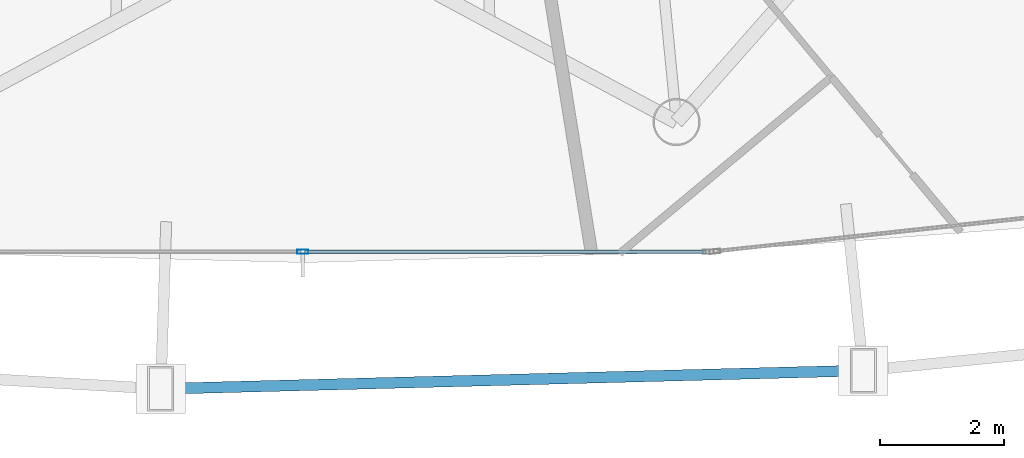
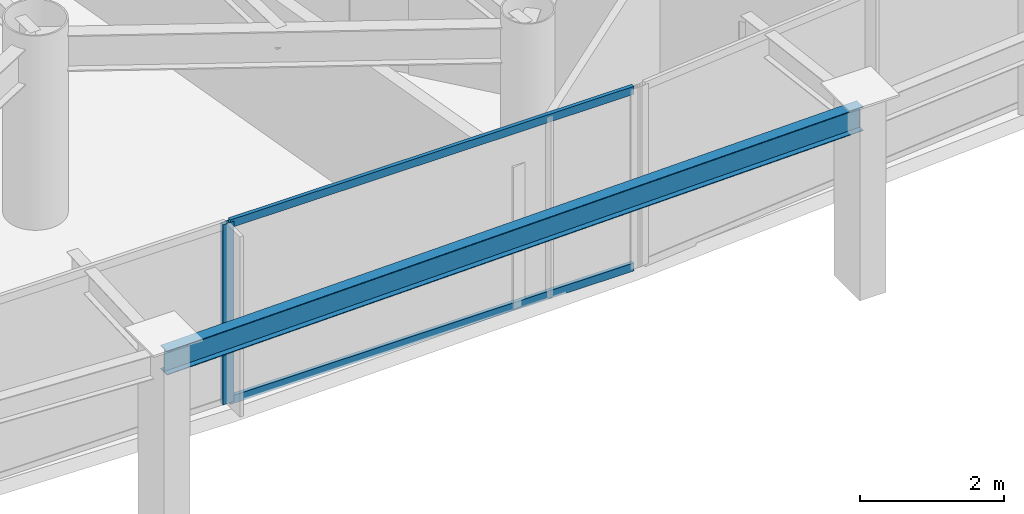
# One storey, part 7 of 38: 3 members, 1 beam, 1 element without a shape of its own.
"""IFC4 building model written with IfcOpenShell, lengths in metres."""

from ifc_helpers import new_model, si_unit, direction, frame, origin, origin_2d, place, context, subcontext, project, spatial, hollow_rectangle, i_section, extrude, material, layer, layer_set, material_profile, profile_set, type_object, element, aggregate, save


model = new_model("IFC4")

# Units and contexts
model_context = context("Model", 3, precision=1e-05, world=origin(), true_north=direction((0.0, 1.0)))
body_context = subcontext(model_context, "Body", "Model", "MODEL_VIEW")
ifc_project = project(units=[si_unit("LENGTHUNIT", "METRE"), si_unit("AREAUNIT", "SQUARE_METRE"), si_unit("VOLUMEUNIT", "CUBIC_METRE"), si_unit("PLANEANGLEUNIT", "RADIAN"), si_unit("MASSUNIT", "GRAM", prefix="KILO")], contexts=[model_context])

# Site, building, storey
site_placement = place(None, origin())
site = spatial("IfcSite", under=ifc_project, at=site_placement, CompositionType="ELEMENT")
building_placement = place(site_placement, origin())
building = spatial("IfcBuilding", under=site, at=building_placement, Name="Orvanel Arch Residences", CompositionType="ELEMENT")
storey_placement = place(building_placement, frame((0.0, 0.0, 50.0)))
storey = spatial("IfcBuildingStorey", under=building, at=storey_placement, Name="L13", CompositionType="ELEMENT", Elevation=50.0)

# Curtain wall, member
ifc_material_1 = material(Name="Bronze-anodised aluminium AA6063-T6", Category="aluminium")
ifc_layer = layer(ifc_material_1, 0.179931640625)
ifc_layer_set = layer_set([ifc_layer], Name="Bronze-anodised aluminium AA6063-T6")
curtain_wall_type = type_object("IfcCurtainWallType", Name="CW2-LOW-SYS", PredefinedType="NOTDEFINED", material=ifc_layer_set)
curtain_wall_placement = place(storey_placement, origin())
curtain_wall = element("IfcCurtainWall", 1, at=curtain_wall_placement, inside=storey, type_object=curtain_wall_type, Name="L13 CW2-LOW-SYS Unitised Curtain Wall", PredefinedType="NOTDEFINED")
ifc_material_profile_1 = material_profile(ifc_material_1, hollow_rectangle(XDim=0.070068359375, YDim=0.179931640625, WallThickness=0.00439453125, at=origin_2d()), Name="ALU180x70x4.5")
ifc_profile_set_1 = profile_set([ifc_material_profile_1], Name="Bronze-anodised aluminium AA6063-T6")
member_type_1 = type_object("IfcMemberType", Name="MUL-180x70", PredefinedType="MULLION", material=ifc_profile_set_1)
member_1_placement = place(storey_placement, frame((33.0, 1.508056640625, 0.0), z_axis=(0.0, 0.0, 1.0), x_axis=(0.0, 1.0, 0.0)))
member_1 = element("IfcMember", 2, at=member_1_placement, type_object=member_type_1, Name="CW-S2 mullion 2", PredefinedType="MULLION", context=body_context, shape_type="SweptSolid", body=[
    extrude(hollow_rectangle(XDim=0.070068359375, YDim=0.179931640625, WallThickness=0.00439453125, at=origin_2d()), origin(), (0.0, 0.0, 1.0), 3.06005859375),
])

# Beam
ifc_material_2 = material(Name="Structural steel AS/NZS 3679.1 Grade 300 (300 MPa)", Category="steel")
ifc_material_profile_2 = material_profile(ifc_material_2, i_section(OverallWidth=0.177978515625, OverallDepth=0.406005859375, WebThickness=0.0078125, FlangeThickness=0.0126953125, at=origin_2d()), Name="410UB59.7")
ifc_profile_set_2 = profile_set([ifc_material_profile_2], Name="Structural steel AS/NZS 3679.1 Grade 300 (300 MPa)")
beam_type = type_object("IfcBeamType", Name="OB-410UB-EXT", PredefinedType="SPANDREL", material=ifc_profile_set_2)
beam_placement = place(storey_placement, frame((30.7041015625, -0.7080078125, 2.85693359375), z_axis=(0.999660756032, 0.026045591735, 0.0), x_axis=(-0.026045591735, 0.999660756032, 0.0)))
element("IfcBeam", 3, at=beam_placement, inside=storey, type_object=beam_type, Name="L13 Outer Perimeter Floor Ring Beam 06", PredefinedType="SPANDREL", context=body_context, shape_type="SweptSolid", body=[
    extrude(i_section(OverallWidth=0.177978515625, OverallDepth=0.406005859375, WebThickness=0.0078125, FlangeThickness=0.0126953125, at=origin_2d()), origin(), (0.0, 0.0, 1.0), 11.36083984375),
])

# Member
ifc_material_profile_3 = material_profile(ifc_material_1, hollow_rectangle(XDim=0.06005859375, YDim=0.135009765625, WallThickness=0.00390625, at=origin_2d()), Name="ALU135x60x4")
ifc_profile_set_3 = profile_set([ifc_material_profile_3], Name="Bronze-anodised aluminium AA6063-T6")
member_type_2 = type_object("IfcMemberType", Name="TRN-135x60", PredefinedType="USERDEFINED", material=ifc_profile_set_3)
member_2_placement = place(storey_placement, frame((33.034912109375, 1.508056640625, 0.030029296875), z_axis=(1.0, 0.0, 0.0), x_axis=(0.0, 1.0, 0.0)))
member_2 = element("IfcMember", 4, at=member_2_placement, type_object=member_type_2, Name="CW-S2 transom 2.1", ObjectType="TRANSOM", PredefinedType="USERDEFINED", context=body_context, shape_type="SweptSolid", body=[
    extrude(hollow_rectangle(XDim=0.06005859375, YDim=0.135009765625, WallThickness=0.00390625, at=origin_2d()), origin(), (0.0, 0.0, 1.0), 6.486083984375),
])

member_3_placement = place(storey_placement, frame((33.034912109375, 1.508056640625, 3.030029296875), z_axis=(1.0, 0.0, 0.0), x_axis=(0.0, 1.0, 0.0)))
member_3 = element("IfcMember", 5, at=member_3_placement, type_object=member_type_2, Name="CW-S2 transom 2.2", ObjectType="TRANSOM", PredefinedType="USERDEFINED", context=body_context, shape_type="SweptSolid", body=[
    extrude(hollow_rectangle(XDim=0.06005859375, YDim=0.135009765625, WallThickness=0.00390625, at=origin_2d()), origin(), (0.0, 0.0, 1.0), 6.486083984375),
])

aggregate(curtain_wall, [member_1, member_2, member_3])

save(model, "model.ifc")
